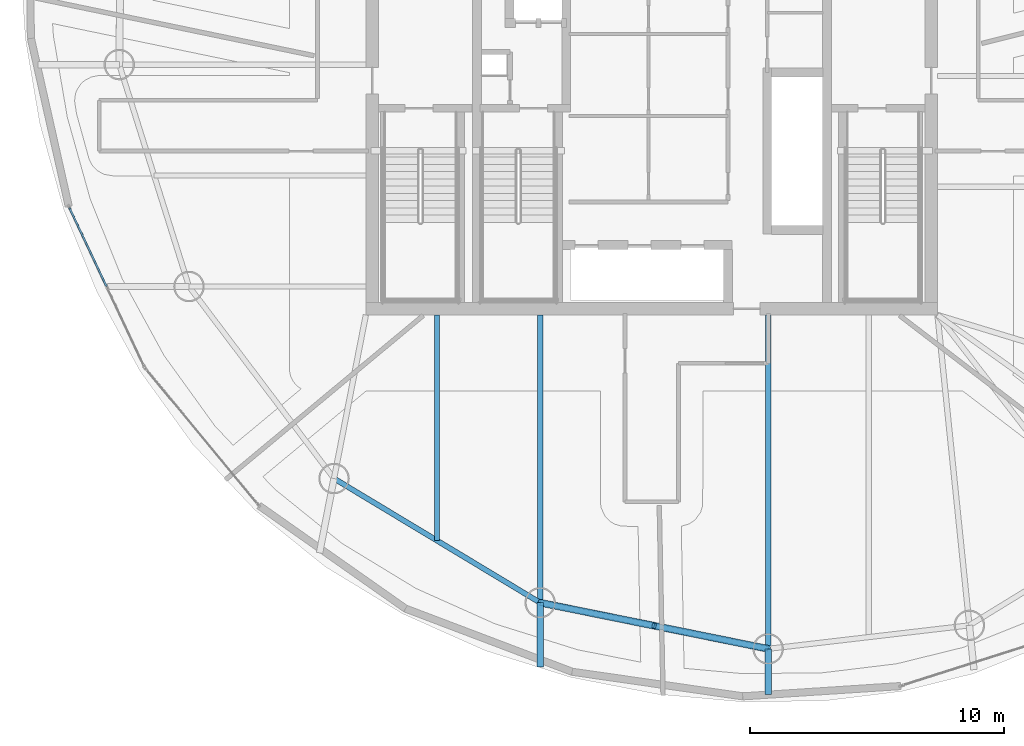
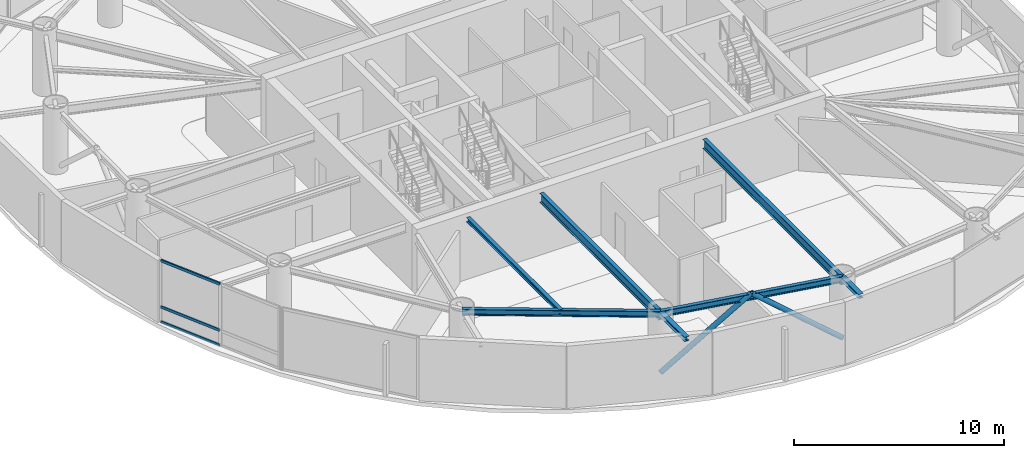
# One storey, part 3 of 20: 7 beams, 5 members, 1 element without a shape of its own.
"""IFC4 building model written with IfcOpenShell, lengths in metres."""

from ifc_helpers import new_model, si_unit, direction, frame, origin, origin_2d, place, context, subcontext, project, spatial, hollow_rectangle, hollow_circle, i_section, extrude, material, layer, layer_set, material_profile, profile_set, type_object, element, aggregate, save


model = new_model("IFC4")

# Units and contexts
model_context = context("Model", 3, precision=1e-05, world=origin(), true_north=direction((0.0, 1.0)))
body_context = subcontext(model_context, "Body", "Model", "MODEL_VIEW")
ifc_project = project(units=[si_unit("LENGTHUNIT", "METRE"), si_unit("AREAUNIT", "SQUARE_METRE"), si_unit("VOLUMEUNIT", "CUBIC_METRE"), si_unit("PLANEANGLEUNIT", "RADIAN"), si_unit("MASSUNIT", "GRAM", prefix="KILO")], contexts=[model_context])

# Site, building, storey
site_placement = place(None, origin())
site = spatial("IfcSite", under=ifc_project, at=site_placement, CompositionType="ELEMENT")
building_placement = place(site_placement, origin())
building = spatial("IfcBuilding", under=site, at=building_placement, Name="Bramvorn Convention Spire", CompositionType="ELEMENT")
storey_placement = place(building_placement, frame((0.0, 0.0, 202.0)))
storey = spatial("IfcBuildingStorey", under=building, at=storey_placement, Name="L51", CompositionType="ELEMENT", Elevation=202.0)

# Beams
ifc_material_1 = material(Name="Steel CSA G40.21 Grade 350 (350W)", Category="steel")
ifc_material_profile_1 = material_profile(ifc_material_1, i_section(OverallWidth=0.201904296875, OverallDepth=0.2470703125, WebThickness=0.00732421875, FlangeThickness=0.010986328125, FilletRadius=0.011962890625, at=origin_2d()))
ifc_profile_set_1 = profile_set([ifc_material_profile_1], Name="Steel CSA G40.21 Grade 350 (350W) - W250X49")
beam_type_1 = type_object("IfcBeamType", Name="BM-W250X49", PredefinedType="JOIST", material=ifc_profile_set_1)
beam_1_placement = place(storey_placement, frame((29.554443359375, 18.550048828125, 3.49658203125), z_axis=(0.0, -1.0, 0.0), x_axis=(1.0, 0.0, 0.0)))
element("IfcBeam", 1, at=beam_1_placement, inside=storey, type_object=beam_type_1, Name="L51 composite floor joist 13", PredefinedType="JOIST", context=body_context, shape_type="SweptSolid", body=[
    extrude(i_section(OverallWidth=0.201904296875, OverallDepth=0.2470703125, WebThickness=0.00732421875, FlangeThickness=0.010986328125, FilletRadius=0.011962890625, at=origin_2d()), origin(), (0.0, 0.0, 1.0), 8.878662109375),
])
ifc_material_profile_2 = material_profile(ifc_material_1, i_section(OverallWidth=0.25390625, OverallDepth=0.2529296875, WebThickness=0.008544921875, FlangeThickness=0.01416015625, FilletRadius=0.011962890625, at=origin_2d()))
ifc_profile_set_2 = profile_set([ifc_material_profile_2], Name="Steel CSA G40.21 Grade 350 (350W) - W250X73")
beam_type_2 = type_object("IfcBeamType", Name="BM-W250X73", PredefinedType="BEAM", material=ifc_profile_set_2)
beam_2_placement = place(storey_placement, frame((33.61083984375, 7.227783203125, 3.493408203125), z_axis=(0.0, -1.0, 0.0), x_axis=(1.0, 0.0, 0.0)))
element("IfcBeam", 2, at=beam_2_placement, inside=storey, type_object=beam_type_2, Name="L51 slab-edge cantilever tip beam MC14", PredefinedType="BEAM", context=body_context, shape_type="SweptSolid", body=[
    extrude(i_section(OverallWidth=0.25390625, OverallDepth=0.2529296875, WebThickness=0.008544921875, FlangeThickness=0.01416015625, FilletRadius=0.011962890625, at=origin_2d()), origin(), (0.0, 0.0, 1.0), 2.5341796875),
])
beam_3_placement = place(storey_placement, frame((42.583740234375, 5.41162109375, 3.493408203125), z_axis=(0.0, -1.0, 0.0), x_axis=(1.0, 0.0, 0.0)))
element("IfcBeam", 3, at=beam_3_placement, inside=storey, type_object=beam_type_2, Name="L51 slab-edge cantilever tip beam MC15", PredefinedType="BEAM", context=body_context, shape_type="SweptSolid", body=[
    extrude(i_section(OverallWidth=0.25390625, OverallDepth=0.2529296875, WebThickness=0.008544921875, FlangeThickness=0.01416015625, FilletRadius=0.011962890625, at=origin_2d()), origin(), (0.0, 0.0, 1.0), 1.796142578125),
])
ifc_material_profile_3 = material_profile(ifc_material_1, i_section(OverallWidth=0.205078125, OverallDepth=0.35400390625, WebThickness=0.009521484375, FlangeThickness=0.016845703125, FilletRadius=0.014892578125, at=origin_2d()))
ifc_profile_set_3 = profile_set([ifc_material_profile_3], Name="Steel CSA G40.21 Grade 350 (350W) - W360X79")
beam_type_3 = type_object("IfcBeamType", Name="BM-W360X79", PredefinedType="JOIST", material=ifc_profile_set_3)
beam_4_placement = place(storey_placement, frame((25.498046875, 12.114990234375, 3.443115234375), z_axis=(0.856581795745, -0.516011266543, 0.0), x_axis=(0.516011266543, 0.856581795745, 0.0)))
element("IfcBeam", 4, at=beam_4_placement, inside=storey, type_object=beam_type_3, Name="L51 mega-column ring beam 13", PredefinedType="JOIST", context=body_context, shape_type="SweptSolid", body=[
    extrude(i_section(OverallWidth=0.205078125, OverallDepth=0.35400390625, WebThickness=0.009521484375, FlangeThickness=0.016845703125, FilletRadius=0.014892578125, at=origin_2d()), origin(), (0.0, 0.0, 1.0), 9.47119140625),
])
beam_5_placement = place(storey_placement, frame((33.61083984375, 7.227783203125, 3.443115234375), z_axis=(0.980124701676, -0.198382381187, 0.0), x_axis=(0.198382381187, 0.980124701676, 0.0)))
element("IfcBeam", 5, at=beam_5_placement, inside=storey, type_object=beam_type_3, Name="L51 mega-column ring beam 14", PredefinedType="JOIST", context=body_context, shape_type="SweptSolid", body=[
    extrude(i_section(OverallWidth=0.205078125, OverallDepth=0.35400390625, WebThickness=0.009521484375, FlangeThickness=0.016845703125, FilletRadius=0.014892578125, at=origin_2d()), origin(), (0.0, 0.0, 1.0), 9.15478515625),
])
ifc_material_profile_4 = material_profile(ifc_material_1, i_section(OverallWidth=0.2119140625, OverallDepth=0.5439453125, WebThickness=0.01318359375, FlangeThickness=0.021240234375, FilletRadius=0.01904296875, at=origin_2d()))
ifc_profile_set_4 = profile_set([ifc_material_profile_4], Name="Steel CSA G40.21 Grade 350 (350W) - W530X123")
beam_type_4 = type_object("IfcBeamType", Name="BM-W530X123", PredefinedType="BEAM", material=ifc_profile_set_4)
beam_6_placement = place(storey_placement, frame((33.61083984375, 18.550048828125, 3.347900390625), z_axis=(0.0, -1.0, 0.0), x_axis=(1.0, 0.0, 0.0)))
element("IfcBeam", 6, at=beam_6_placement, inside=storey, type_object=beam_type_4, Name="L51 radial floor girder MC14", PredefinedType="BEAM", context=body_context, shape_type="SweptSolid", body=[
    extrude(i_section(OverallWidth=0.2119140625, OverallDepth=0.5439453125, WebThickness=0.01318359375, FlangeThickness=0.021240234375, FilletRadius=0.01904296875, at=origin_2d()), origin(), (0.0, 0.0, 1.0), 11.322265625),
])
beam_7_placement = place(storey_placement, frame((42.583740234375, 18.550048828125, 3.347900390625), z_axis=(0.0, -1.0, 0.0), x_axis=(1.0, 0.0, 0.0)))
element("IfcBeam", 7, at=beam_7_placement, inside=storey, type_object=beam_type_4, Name="L51 radial floor girder MC15", PredefinedType="BEAM", context=body_context, shape_type="SweptSolid", body=[
    extrude(i_section(OverallWidth=0.2119140625, OverallDepth=0.5439453125, WebThickness=0.01318359375, FlangeThickness=0.021240234375, FilletRadius=0.01904296875, at=origin_2d()), origin(), (0.0, 0.0, 1.0), 13.138427734375),
])

# Curtain wall, members
ifc_material_2 = material(Name="Anodised Bronze Unitised Curtain Wall", Category="aluminium")
ifc_layer = layer(ifc_material_2, 0.179931640625)
ifc_layer_set = layer_set([ifc_layer], Name="Anodised Bronze Unitised Curtain Wall - CW-OFF-FRIT")
curtain_wall_type = type_object("IfcCurtainWallType", Name="CW-OFF-FRIT", PredefinedType="USERDEFINED", material=ifc_layer_set)
curtain_wall_placement = place(storey_placement, origin())
curtain_wall = element("IfcCurtainWall", 8, at=curtain_wall_placement, inside=storey, type_object=curtain_wall_type, Name="L51 fritted glass curtain wall 17", ObjectType="UNITISED CURTAIN WALL", PredefinedType="USERDEFINED")
ifc_material_3 = material(Name="Anodised Bronze Aluminium 6063-T6", Category="aluminium")
ifc_material_profile_5 = material_profile(ifc_material_3, hollow_rectangle(XDim=0.080078125, YDim=0.159912109375, WallThickness=0.00390625, InnerFilletRadius=0.0009765625, OuterFilletRadius=0.00390625, at=origin_2d()))
ifc_profile_set_5 = profile_set([ifc_material_profile_5], Name="Anodised Bronze Aluminium 6063-T6 - CWT80X160")
member_type_1 = type_object("IfcMemberType", Name="CW-TRN-150", PredefinedType="USERDEFINED", material=ifc_profile_set_5)
member_1_placement = place(storey_placement, frame((16.543212890625, 19.67724609375, 0.030029296875), z_axis=(-0.426759748236, 0.904365035418, 0.0), x_axis=(-0.904365035418, -0.426759748236, 0.0)))
member_1 = element("IfcMember", 9, at=member_1_placement, type_object=member_type_1, Name="CW3 transom 2.1", ObjectType="TRANSOM", PredefinedType="USERDEFINED", context=body_context, shape_type="SweptSolid", body=[
    extrude(hollow_rectangle(XDim=0.080078125, YDim=0.159912109375, WallThickness=0.00390625, InnerFilletRadius=0.0009765625, OuterFilletRadius=0.00390625, at=origin_2d()), origin(), (0.0, 0.0, 1.0), 3.418701171875),
])
member_2_placement = place(storey_placement, frame((16.543212890625, 19.67724609375, 0.89990234375), z_axis=(-0.426759748236, 0.904365035418, 0.0), x_axis=(-0.904365035418, -0.426759748236, 0.0)))
member_2 = element("IfcMember", 10, at=member_2_placement, type_object=member_type_1, Name="CW3 transom 2.2", ObjectType="TRANSOM", PredefinedType="USERDEFINED", context=body_context, shape_type="SweptSolid", body=[
    extrude(hollow_rectangle(XDim=0.080078125, YDim=0.159912109375, WallThickness=0.00390625, InnerFilletRadius=0.0009765625, OuterFilletRadius=0.00390625, at=origin_2d()), origin(), (0.0, 0.0, 1.0), 3.418701171875),
])
member_3_placement = place(storey_placement, frame((16.543212890625, 19.67724609375, 3.590087890625), z_axis=(-0.426759748236, 0.904365035418, 0.0), x_axis=(-0.904365035418, -0.426759748236, 0.0)))
member_3 = element("IfcMember", 11, at=member_3_placement, type_object=member_type_1, Name="CW3 transom 2.3", ObjectType="TRANSOM", PredefinedType="USERDEFINED", context=body_context, shape_type="SweptSolid", body=[
    extrude(hollow_rectangle(XDim=0.080078125, YDim=0.159912109375, WallThickness=0.00390625, InnerFilletRadius=0.0009765625, OuterFilletRadius=0.00390625, at=origin_2d()), origin(), (0.0, 0.0, 1.0), 3.418701171875),
])
aggregate(curtain_wall, [member_1, member_2, member_3])

# Members
ifc_material_profile_6 = material_profile(ifc_material_1, hollow_circle(Radius=0.136474609375, WallThickness=0.0126953125, at=origin_2d()))
ifc_profile_set_6 = profile_set([ifc_material_profile_6], Name="Steel CSA G40.21 Grade 350 (350W) - CHS273X13")
member_type_2 = type_object("IfcMemberType", Name="MBR-CHS273X13", PredefinedType="BRACE", material=ifc_profile_set_6)
for number, where, z_axis, x_axis, name in (
    (12, (33.61083984375, 7.227783203125, 0.0), (0.768774413927, -0.155578823823, 0.62030728681), (0.198351578089, 0.98013093588, 0.0), "L51 perimeter Gothic lancet brace 14A"),
    (13, (42.583740234375, 5.41162109375, 0.0), (-0.768752299453, 0.155624649215, 0.620323198536), (-0.198413185373, -0.980118466243, 0.0), "L51 perimeter Gothic lancet brace 14B"),
):
    element("IfcMember", number, at=place(storey_placement, frame(where, z_axis=z_axis, x_axis=x_axis)), inside=storey, type_object=member_type_2, Name=name, PredefinedType="BRACE", context=body_context, shape_type="SweptSolid", body=[
        extrude(hollow_circle(Radius=0.136474609375, WallThickness=0.0126953125, at=origin_2d()), origin(), (0.0, 0.0, 1.0), 5.8359375),
    ])

save(model, "model.ifc")
